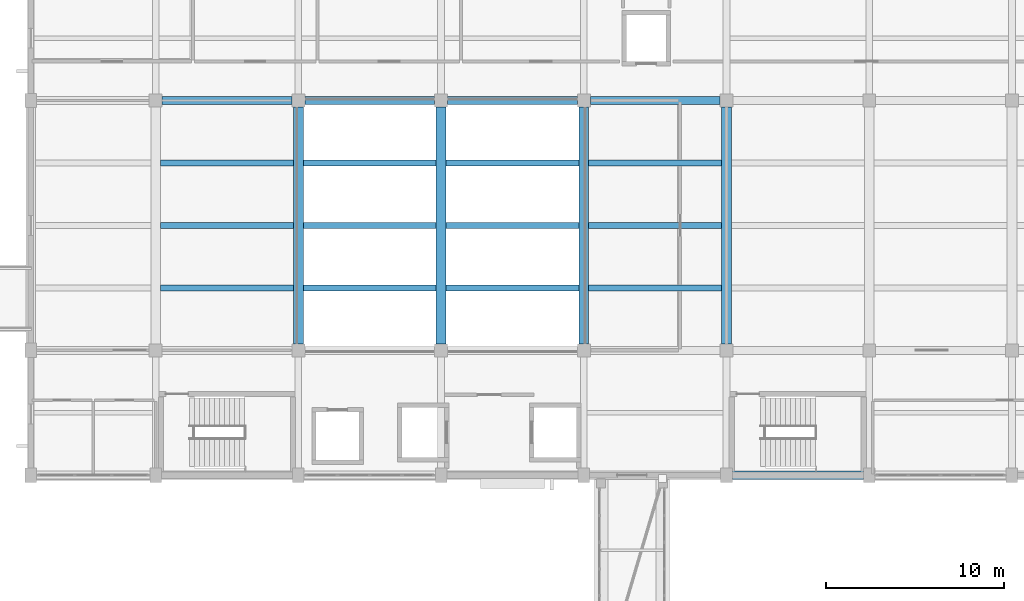
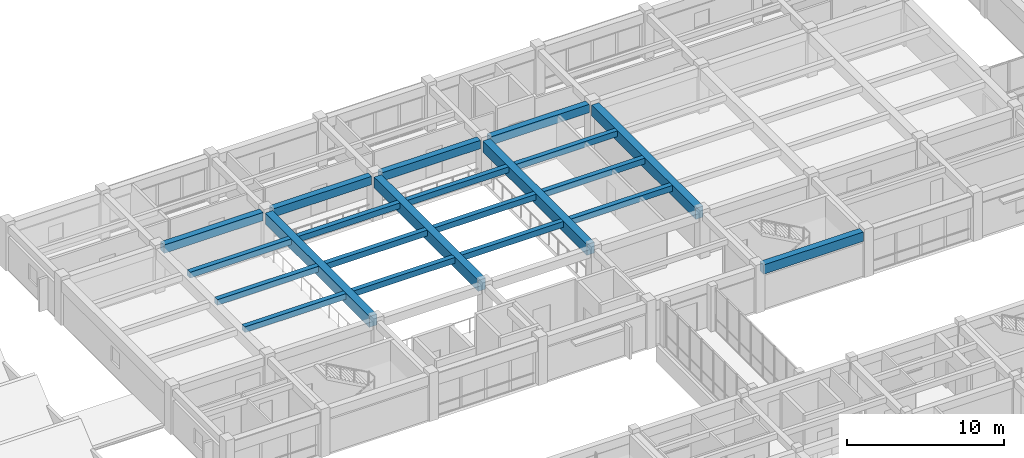
# One storey, part 11 of 42: 21 beams.
"""IFC4 building model written with IfcOpenShell, lengths in metres."""

from ifc_helpers import new_model, si_unit, direction, frame, origin, origin_2d, place, context, subcontext, project, spatial, rectangle, extrude, material, material_profile, profile_set, type_object, element, save


model = new_model("IFC4")

# Units and contexts
model_context = context("Model", 3, precision=1e-05, world=origin(), true_north=direction((0.0, 1.0)))
body_context = subcontext(model_context, "Body", "Model", "MODEL_VIEW")
ifc_project = project(units=[si_unit("LENGTHUNIT", "METRE"), si_unit("AREAUNIT", "SQUARE_METRE"), si_unit("VOLUMEUNIT", "CUBIC_METRE"), si_unit("PLANEANGLEUNIT", "RADIAN"), si_unit("MASSUNIT", "GRAM", prefix="KILO")], contexts=[model_context])

# Site, building, storey
site_placement = place(None, origin())
site = spatial("IfcSite", under=ifc_project, at=site_placement, CompositionType="ELEMENT")
building_placement = place(site_placement, origin())
building = spatial("IfcBuilding", under=site, at=building_placement, Name="Naurynzar Civic Courthouse", CompositionType="ELEMENT")
storey_placement = place(building_placement, frame((0.0, 0.0, 18.300048828125)))
storey = spatial("IfcBuildingStorey", under=building, at=storey_placement, Name="L05", CompositionType="ELEMENT", Elevation=18.300048828125)

# Beams
ifc_material_1 = material(Name="Concrete C40/50", Category="concrete")
ifc_material_profile_1 = material_profile(ifc_material_1, rectangle(XDim=0.550048828125, YDim=0.85009765625, at=origin_2d()), Name="PTB 550x850")
ifc_profile_set_1 = profile_set([ifc_material_profile_1], Name="Concrete C40/50")
beam_type_1 = type_object("IfcBeamType", Name="BM-PT-550x850", PredefinedType="T_BEAM", material=ifc_profile_set_1)
for number, where, z_axis, x_axis, name in (
    (1, (77.0, 51.362548828125, 3.044921875), (0.0, 1.0, 0.0), (-1.0, 0.0, 0.0), "V2 girder Y-781 L05"),
    (2, (85.0, 51.362548828125, 3.044921875), (0.0, 1.0, 0.0), (-1.0, 0.0, 0.0), "V2 girder Y-784 L05"),
    (3, (93.0, 51.362548828125, 3.044921875), (0.0, 1.0, 0.0), (-1.0, 0.0, 0.0), "V2 girder Y-787 L05"),
    (4, (101.0, 51.362548828125, 3.044921875), (0.0, 1.0, 0.0), (-1.0, 0.0, 0.0), "V2 girder Y-790 L05"),
):
    element("IfcBeam", number, at=place(storey_placement, frame(where, z_axis=z_axis, x_axis=x_axis)), inside=storey, type_object=beam_type_1, Name=name, PredefinedType="T_BEAM", context=body_context, shape_type="SweptSolid", body=[
        extrude(rectangle(XDim=0.550048828125, YDim=0.85009765625, at=origin_2d()), origin(), (0.0, 0.0, 1.0), 13.27490234375),
    ])
ifc_material_2 = material(Name="Concrete C40/50", Category="concrete")
ifc_material_profile_2 = material_profile(ifc_material_2, rectangle(XDim=0.35009765625, YDim=0.449951171875, at=origin_2d()), Name="RCB 350x450")
ifc_profile_set_2 = profile_set([ifc_material_profile_2], Name="Concrete C40/50")
beam_type_2 = type_object("IfcBeamType", Name="BM-RC-350x450", PredefinedType="BEAM", material=ifc_profile_set_2)
for number, where, z_axis, x_axis, name in (
    (5, (69.27490234375, 54.5, 3.244873046875), (1.0, 0.0, 0.0), (0.0, 1.0, 0.0), "V2 secondary rib 808 L05"),
    (6, (69.27490234375, 58.0, 3.244873046875), (1.0, 0.0, 0.0), (0.0, 1.0, 0.0), "V2 secondary rib 809 L05"),
    (7, (69.27490234375, 61.5, 3.244873046875), (1.0, 0.0, 0.0), (0.0, 1.0, 0.0), "V2 secondary rib 810 L05"),
    (8, (77.27490234375, 54.5, 3.244873046875), (1.0, 0.0, 0.0), (0.0, 1.0, 0.0), "V2 secondary rib 811 L05"),
    (9, (77.27490234375, 58.0, 3.244873046875), (1.0, 0.0, 0.0), (0.0, 1.0, 0.0), "V2 secondary rib 812 L05"),
    (10, (77.27490234375, 61.5, 3.244873046875), (1.0, 0.0, 0.0), (0.0, 1.0, 0.0), "V2 secondary rib 813 L05"),
    (11, (85.27490234375, 54.5, 3.244873046875), (1.0, 0.0, 0.0), (0.0, 1.0, 0.0), "V2 secondary rib 814 L05"),
    (12, (85.27490234375, 58.0, 3.244873046875), (1.0, 0.0, 0.0), (0.0, 1.0, 0.0), "V2 secondary rib 815 L05"),
    (13, (85.27490234375, 61.5, 3.244873046875), (1.0, 0.0, 0.0), (0.0, 1.0, 0.0), "V2 secondary rib 816 L05"),
    (14, (93.27490234375, 54.5, 3.244873046875), (1.0, 0.0, 0.0), (0.0, 1.0, 0.0), "V2 secondary rib 817 L05"),
    (15, (93.27490234375, 58.0, 3.244873046875), (1.0, 0.0, 0.0), (0.0, 1.0, 0.0), "V2 secondary rib 818 L05"),
    (16, (93.27490234375, 61.5, 3.244873046875), (1.0, 0.0, 0.0), (0.0, 1.0, 0.0), "V2 secondary rib 819 L05"),
):
    element("IfcBeam", number, at=place(storey_placement, frame(where, z_axis=z_axis, x_axis=x_axis)), inside=storey, type_object=beam_type_2, Name=name, PredefinedType="BEAM", context=body_context, shape_type="SweptSolid", body=[
        extrude(rectangle(XDim=0.35009765625, YDim=0.449951171875, at=origin_2d()), origin(), (0.0, 0.0, 1.0), 7.4501953125),
    ])
ifc_material_3 = material(Name="Concrete C40/50", Category="concrete")
ifc_material_profile_3 = material_profile(ifc_material_3, rectangle(XDim=0.449951171875, YDim=0.64990234375, at=origin_2d()), Name="RCB 450x650")
ifc_profile_set_3 = profile_set([ifc_material_profile_3], Name="Concrete C40/50")
beam_type_3 = type_object("IfcBeamType", Name="BM-RC-450x650", PredefinedType="BEAM", material=ifc_profile_set_3)
for number, where, z_axis, x_axis, name in (
    (17, (69.362548828125, 65.0, 3.14501953125), (1.0, 0.0, 0.0), (0.0, 1.0, 0.0), "V2 beam X-759 L05"),
    (18, (77.362548828125, 65.0, 3.14501953125), (1.0, 0.0, 0.0), (0.0, 1.0, 0.0), "V2 beam X-760 L05"),
    (19, (85.362548828125, 65.0, 3.14501953125), (1.0, 0.0, 0.0), (0.0, 1.0, 0.0), "V2 beam X-761 L05"),
    (20, (93.362548828125, 65.0, 3.14501953125), (1.0, 0.0, 0.0), (0.0, 1.0, 0.0), "V2 beam X-762 L05"),
):
    element("IfcBeam", number, at=place(storey_placement, frame(where, z_axis=z_axis, x_axis=x_axis)), inside=storey, type_object=beam_type_3, Name=name, PredefinedType="BEAM", context=body_context, shape_type="SweptSolid", body=[
        extrude(rectangle(XDim=0.449951171875, YDim=0.64990234375, at=origin_2d()), origin(), (0.0, 0.0, 1.0), 7.27490234375),
    ])
ifc_material_4 = material(Name="Concrete C40/50", Category="concrete")
ifc_material_profile_4 = material_profile(ifc_material_4, rectangle(XDim=0.47509765625, YDim=0.72509765625, at=origin_2d()), Name="RCB 475x725")
ifc_profile_set_4 = profile_set([ifc_material_profile_4], Name="Concrete C40/50")
beam_type_4 = type_object("IfcBeamType", Name="BM-RC-475x725", PredefinedType="SPANDREL", material=ifc_profile_set_4)
beam_placement = place(storey_placement, frame((101.324951171875, 44.0, 3.107421875), z_axis=(1.0, 0.0, 0.0), x_axis=(0.0, 1.0, 0.0)))
element("IfcBeam", 21, at=beam_placement, inside=storey, type_object=beam_type_4, Name="V2 beam X-747 L05", PredefinedType="SPANDREL", context=body_context, shape_type="SweptSolid", body=[
    extrude(rectangle(XDim=0.47509765625, YDim=0.72509765625, at=origin_2d()), origin(), (0.0, 0.0, 1.0), 7.35009765625),
])

save(model, "model.ifc")
